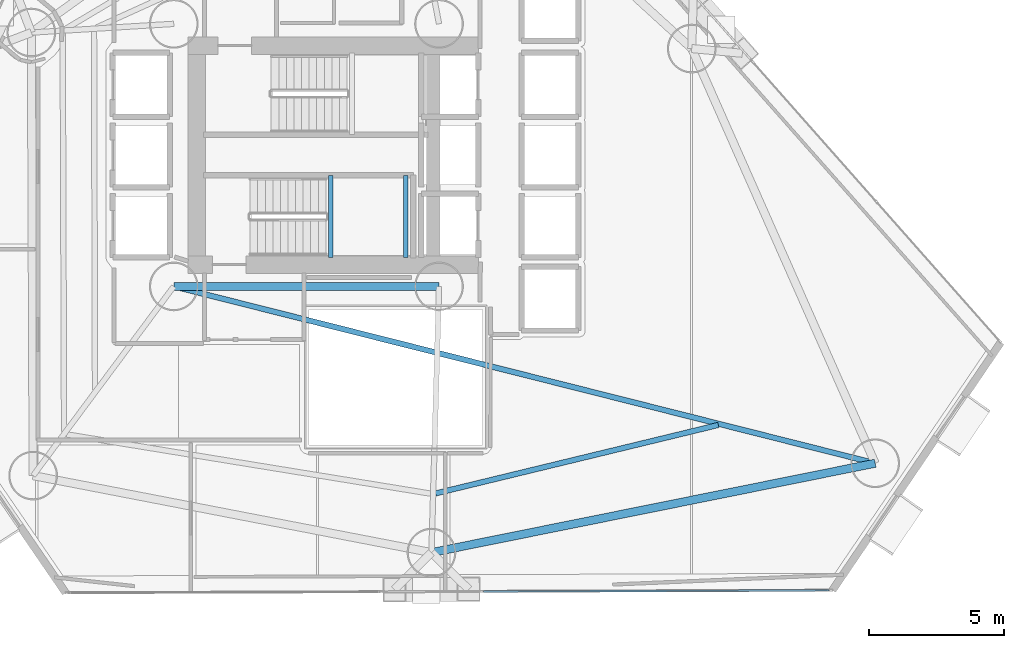
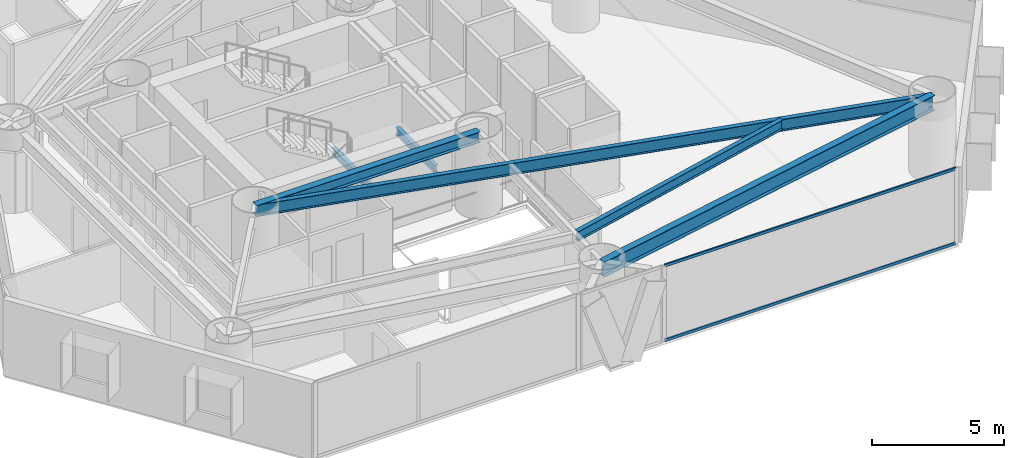
# One storey, part 6 of 22: 6 beams, 2 members, 1 element without a shape of its own.
"""IFC4 building model written with IfcOpenShell, lengths in metres."""

from ifc_helpers import new_model, si_unit, direction, frame, origin, origin_2d, place, context, subcontext, project, spatial, hollow_rectangle, i_section, extrude, material, layer, layer_set, material_profile, profile_set, type_object, element, aggregate, save


model = new_model("IFC4")

# Units and contexts
model_context = context("Model", 3, precision=1e-05, world=origin(), true_north=direction((0.0, 1.0)))
body_context = subcontext(model_context, "Body", "Model", "MODEL_VIEW")
ifc_project = project(units=[si_unit("LENGTHUNIT", "METRE"), si_unit("AREAUNIT", "SQUARE_METRE"), si_unit("VOLUMEUNIT", "CUBIC_METRE"), si_unit("PLANEANGLEUNIT", "RADIAN"), si_unit("MASSUNIT", "GRAM", prefix="KILO")], contexts=[model_context])

# Site, building, storey
site_placement = place(None, origin())
site = spatial("IfcSite", under=ifc_project, at=site_placement, CompositionType="ELEMENT")
building_placement = place(site_placement, origin())
building = spatial("IfcBuilding", under=site, at=building_placement, Name="Qianvela Tower", CompositionType="ELEMENT")
storey_placement = place(building_placement, frame((0.0, 0.0, 40.5)))
storey = spatial("IfcBuildingStorey", under=building, at=storey_placement, Name="L09", CompositionType="ELEMENT", Elevation=40.5)

# Beams
ifc_material_1 = material(Name="Steel Q355B", Category="steel")
ifc_material_profile_1 = material_profile(ifc_material_1, i_section(OverallWidth=0.300048828125, OverallDepth=0.5, WebThickness=0.010986328125, FlangeThickness=0.01806640625, at=origin_2d()), Name="HM500x300x11x18")
ifc_profile_set_1 = profile_set([ifc_material_profile_1], Name="Steel Q355B")
beam_type_1 = type_object("IfcBeamType", Name="BM-HM500-COLL", PredefinedType="BEAM", material=ifc_profile_set_1)
beam_1_placement = place(storey_placement, frame((28.60009765625, 23.85009765625, 3.26806640625), z_axis=(1.0, 0.0, 0.0), x_axis=(0.0, 1.0, 0.0)))
element("IfcBeam", 1, at=beam_1_placement, inside=storey, type_object=beam_type_1, Name="L09 Core Ring Collector Girder CC1", PredefinedType="BEAM", context=body_context, shape_type="SweptSolid", body=[
    extrude(i_section(OverallWidth=0.300048828125, OverallDepth=0.5, WebThickness=0.010986328125, FlangeThickness=0.01806640625, at=origin_2d()), origin(), (0.0, 0.0, 1.0), 9.7998046875),
])
ifc_material_2 = material(Name="Steel Q355B", Category="steel")
ifc_material_profile_2 = material_profile(ifc_material_2, i_section(OverallWidth=0.175048828125, OverallDepth=0.35009765625, WebThickness=0.007080078125, FlangeThickness=0.010986328125, at=origin_2d()), Name="HN350x175x7x11")
ifc_profile_set_2 = profile_set([ifc_material_profile_2], Name="Steel Q355B")
beam_type_2 = type_object("IfcBeamType", Name="BM-HN350-JOIST", PredefinedType="JOIST", material=ifc_profile_set_2)
for number, where, z_axis, x_axis, name in (
    (2, (34.39990234375, 24.919921875, 1.47509765625), (0.0, 1.0, 0.0), (-1.0, 0.0, 0.0), "L09 Stair ST-2 Landing Support Beam 1.1"),
    (3, (37.169921875, 24.919921875, 1.47509765625), (0.0, 1.0, 0.0), (-1.0, 0.0, 0.0), "L09 Stair ST-2 Landing Support Beam 1.2"),
):
    element("IfcBeam", number, at=place(storey_placement, frame(where, z_axis=z_axis, x_axis=x_axis)), inside=storey, type_object=beam_type_2, Name=name, PredefinedType="JOIST", context=body_context, shape_type="SweptSolid", body=[
        extrude(i_section(OverallWidth=0.175048828125, OverallDepth=0.35009765625, WebThickness=0.007080078125, FlangeThickness=0.010986328125, at=origin_2d()), origin(), (0.0, 0.0, 1.0), 3.02001953125),
    ])
ifc_material_3 = material(Name="Steel Q355B", Category="steel")
ifc_material_profile_3 = material_profile(ifc_material_3, i_section(OverallWidth=0.199951171875, OverallDepth=0.449951171875, WebThickness=0.009033203125, FlangeThickness=0.013916015625, at=origin_2d()), Name="HN450x200x9x14")
ifc_profile_set_3 = profile_set([ifc_material_profile_3], Name="Steel Q355B")
beam_type_3 = type_object("IfcBeamType", Name="BM-HN450-JOIST", PredefinedType="JOIST", material=ifc_profile_set_3)
beam_2_placement = place(storey_placement, frame((38.27490234375, 16.2021484375, 3.29296875), z_axis=(0.97189533292, 0.235413385024, 0.0), x_axis=(-0.235413385024, 0.97189533292, 0.0)))
element("IfcBeam", 4, at=beam_2_placement, inside=storey, type_object=beam_type_3, Name="L09 Secondary Composite Floor Joist 6.3", PredefinedType="JOIST", context=body_context, shape_type="SweptSolid", body=[
    extrude(i_section(OverallWidth=0.199951171875, OverallDepth=0.449951171875, WebThickness=0.009033203125, FlangeThickness=0.013916015625, at=origin_2d()), origin(), (0.0, 0.0, 1.0), 10.7451171875),
])
ifc_material_4 = material(Name="Steel Q355B", Category="steel")
ifc_material_profile_4 = material_profile(ifc_material_4, i_section(OverallWidth=0.199951171875, OverallDepth=0.550048828125, WebThickness=0.010009765625, FlangeThickness=0.01611328125, at=origin_2d()), Name="HN550x200x10x16")
ifc_profile_set_4 = profile_set([ifc_material_profile_4], Name="Steel Q355B")
beam_type_4 = type_object("IfcBeamType", Name="BM-HN550-GIRD", PredefinedType="BEAM", material=ifc_profile_set_4)
beam_3_placement = place(storey_placement, frame((28.60009765625, 23.85009765625, 3.242919921875), z_axis=(0.969654189465, -0.244480577661, 0.0), x_axis=(0.244480577661, 0.969654189465, 0.0)))
element("IfcBeam", 5, at=beam_3_placement, inside=storey, type_object=beam_type_4, Name="L09 Radial Primary Floor Girder 1", PredefinedType="BEAM", context=body_context, shape_type="SweptSolid", body=[
    extrude(i_section(OverallWidth=0.199951171875, OverallDepth=0.550048828125, WebThickness=0.010009765625, FlangeThickness=0.01611328125, at=origin_2d()), origin(), (0.0, 0.0, 1.0), 26.722900390625),
])
ifc_material_5 = material(Name="Steel Q355B", Category="steel")
ifc_material_profile_5 = material_profile(ifc_material_5, i_section(OverallWidth=0.300048828125, OverallDepth=0.699951171875, WebThickness=0.012939453125, FlangeThickness=0.02392578125, at=origin_2d()), Name="HN700x300x13x24")
ifc_profile_set_5 = profile_set([ifc_material_profile_5], Name="Steel Q355B")
beam_type_5 = type_object("IfcBeamType", Name="BM-HN700-SPAND", PredefinedType="SPANDREL", material=ifc_profile_set_5)
beam_4_placement = place(storey_placement, frame((38.1201171875, 14.01611328125, 3.16796875), z_axis=(0.980322065881, 0.197404779951, 0.0), x_axis=(-0.197404779951, 0.980322065881, 0.0)))
element("IfcBeam", 6, at=beam_4_placement, inside=storey, type_object=beam_type_5, Name="L09 Perimeter Ring Spandrel Girder 6", PredefinedType="SPANDREL", context=body_context, shape_type="SweptSolid", body=[
    extrude(i_section(OverallWidth=0.300048828125, OverallDepth=0.699951171875, WebThickness=0.012939453125, FlangeThickness=0.02392578125, at=origin_2d()), origin(), (0.0, 0.0, 1.0), 16.720947265625),
])

# Curtain wall, members
ifc_material_6 = material(Name="Anodised Architectural Aluminium and Low-E Glass", Category="aluminium")
ifc_layer = layer(ifc_material_6, 0.179931640625)
ifc_layer_set = layer_set([ifc_layer], Name="Anodised Architectural Aluminium and Low-E Glass")
curtain_wall_type = type_object("IfcCurtainWallType", Name="CW-COLIV-Z12", PredefinedType="USERDEFINED", material=ifc_layer_set)
curtain_wall_placement = place(storey_placement, origin())
curtain_wall = element("IfcCurtainWall", 7, at=curtain_wall_placement, inside=storey, type_object=curtain_wall_type, Name="L09 CW-COLIV-Z12 Curtain Wall 06C", ObjectType="CURTAIN_WALL_SYSTEM", PredefinedType="USERDEFINED")
ifc_material_7 = material(Name="Anodised Architectural Aluminium 6063-T6", Category="aluminium")
ifc_material_profile_6 = material_profile(ifc_material_7, hollow_rectangle(XDim=0.06494140625, YDim=0.1298828125, WallThickness=0.00439453125, at=origin_2d()), Name="ALU-TRAN-65x130")
ifc_profile_set_6 = profile_set([ifc_material_profile_6], Name="Anodised Architectural Aluminium 6063-T6")
member_type = type_object("IfcMemberType", Name="CW-COLIV-Z12-TRAN", PredefinedType="USERDEFINED", material=ifc_profile_set_6)
member_1_placement = place(storey_placement, frame((40.044189453125, 12.57958984375, 0.032470703125), z_axis=(0.999994339059, 0.003364795696, 0.0), x_axis=(-0.003364795696, 0.999994339059, 0.0)))
member_1 = element("IfcMember", 8, at=member_1_placement, type_object=member_type, Name="CW-3 transom 1.1", ObjectType="TRANSOM", PredefinedType="USERDEFINED", context=body_context, shape_type="SweptSolid", body=[
    extrude(hollow_rectangle(XDim=0.06494140625, YDim=0.1298828125, WallThickness=0.00439453125, at=origin_2d()), origin(), (0.0, 0.0, 1.0), 12.77001953125),
])
member_2_placement = place(storey_placement, frame((40.044189453125, 12.57958984375, 3.487548828125), z_axis=(0.999994339059, 0.003364795696, 0.0), x_axis=(-0.003364795696, 0.999994339059, 0.0)))
member_2 = element("IfcMember", 9, at=member_2_placement, type_object=member_type, Name="CW-3 transom 1.2", ObjectType="TRANSOM", PredefinedType="USERDEFINED", context=body_context, shape_type="SweptSolid", body=[
    extrude(hollow_rectangle(XDim=0.06494140625, YDim=0.1298828125, WallThickness=0.00439453125, at=origin_2d()), origin(), (0.0, 0.0, 1.0), 12.77001953125),
])
aggregate(curtain_wall, [member_1, member_2])

save(model, "model.ifc")
